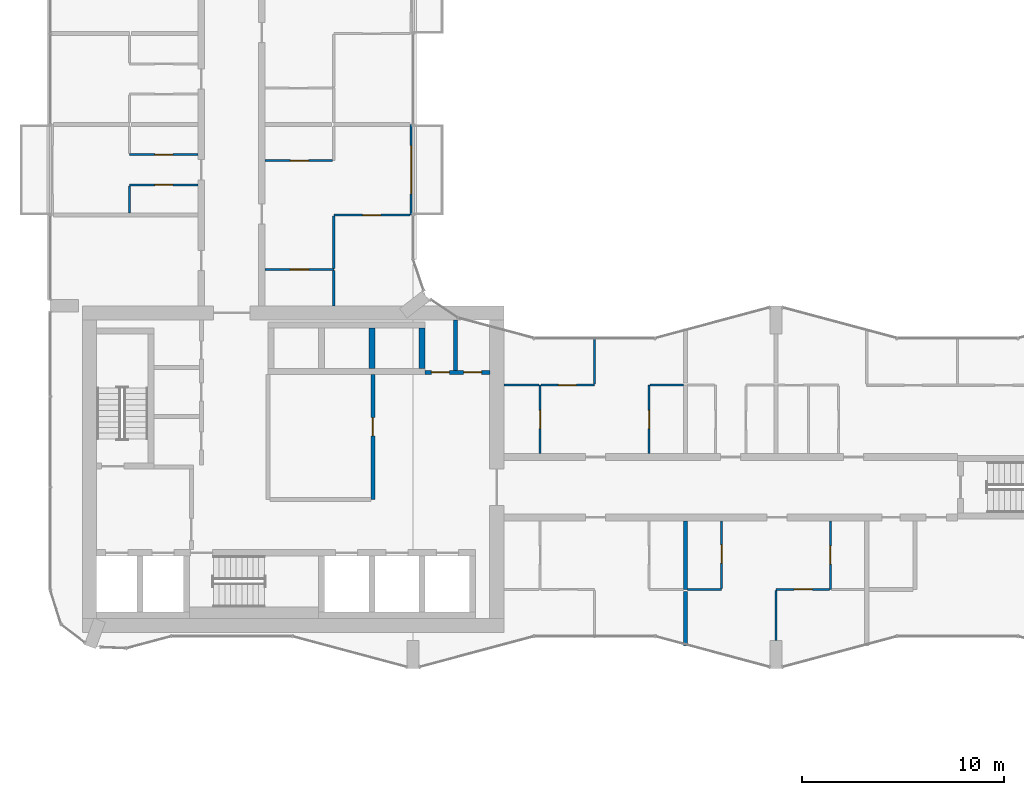
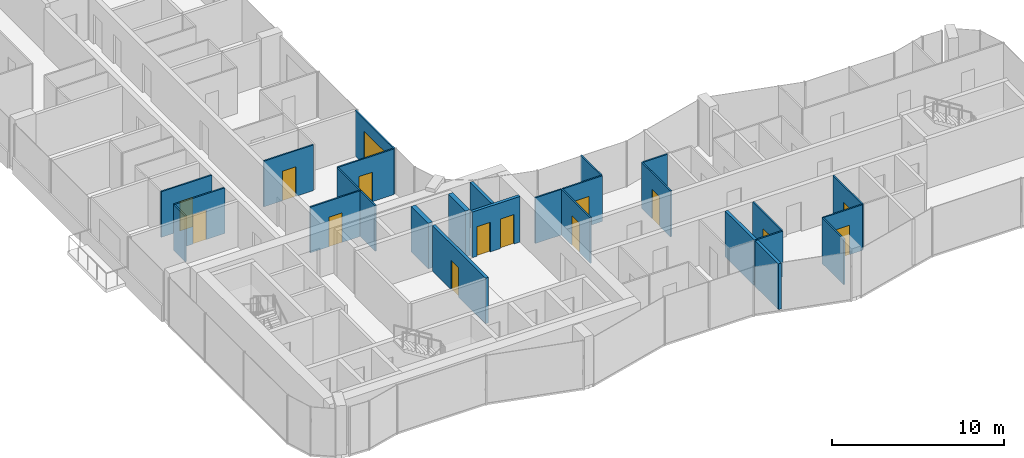
# One storey, part 14 of 23: 27 walls, 15 doors, 15 openings.
"""IFC4 building model written with IfcOpenShell, lengths in metres."""

from ifc_helpers import new_model, si_unit, direction, frame, frame_2d, origin, place, context, subcontext, project, spatial, rectangle, extrude, material, layer, layer_set, type_object, element, fill, save


model = new_model("IFC4")

# Units and contexts
model_context = context("Model", 3, precision=1e-05, world=origin(), true_north=direction((0.0, 1.0)))
body_context = subcontext(model_context, "Body", "Model", "MODEL_VIEW")
ifc_project = project(units=[si_unit("LENGTHUNIT", "METRE"), si_unit("AREAUNIT", "SQUARE_METRE"), si_unit("VOLUMEUNIT", "CUBIC_METRE"), si_unit("PLANEANGLEUNIT", "RADIAN"), si_unit("MASSUNIT", "GRAM", prefix="KILO")], contexts=[model_context])

# Site, building, storey
site_placement = place(None, origin())
site = spatial("IfcSite", under=ifc_project, at=site_placement, CompositionType="ELEMENT")
building_placement = place(site_placement, origin())
building = spatial("IfcBuilding", under=site, at=building_placement, Name="Plateau Cross Towers", CompositionType="ELEMENT")
storey_placement = place(building_placement, frame((0.0, 0.0, 81.800048828125)))
storey = spatial("IfcBuildingStorey", under=building, at=storey_placement, Name="L20", CompositionType="ELEMENT", Elevation=81.800048828125)

# Wall, opening, door
ifc_material_1 = material(Name="Aluminium framed glazing", Category="aluminium")
ifc_layer_1 = layer(ifc_material_1, 0.10009765625)
ifc_layer_set_1 = layer_set([ifc_layer_1], Name="Aluminium framed glazing")
wall_type_1 = type_object("IfcWallType", Name="Balcony screen wall 100", PredefinedType="STANDARD", material=ifc_layer_set_1)
wall_1_placement = place(storey_placement, frame((17.89990234375, 27.0, 0.0), z_axis=(0.0, 0.0, 1.0), x_axis=(0.0, -1.0, 0.0)))
wall_1 = element("IfcWall", 1, at=wall_1_placement, inside=storey, type_object=wall_type_1, Name="Balcony screen wall A-BAL-L20-03", PredefinedType="STANDARD", context=body_context, shape_type="SweptSolid", body=[
    extrude(rectangle(XDim=4.5, YDim=0.10009765625, at=frame_2d((2.25, 0.0))), origin(), (0.0, 0.0, 1.0), 3.25),
])
opening_1_placement = place(wall_1_placement, frame((1.050048828125, 0.0, 0.0)))
opening_1 = element("IfcOpeningElement", 2, at=opening_1_placement, cuts=wall_1, Name="Opening D-B24", PredefinedType="OPENING", context=body_context, shape_type="SweptSolid", body=[
    extrude(rectangle(XDim=2.39990234375, YDim=2.39990234375, at=frame_2d((1.199951171875, 1.199951171875))), frame((0.0, 0.06005859375, 0.0), z_axis=(0.0, -1.0, 0.0), x_axis=(1.0, 0.0, 0.0)), (0.0, 0.0, 1.0), 0.1201171875),
])
ifc_material_2 = material(Name="Aluminium frame, double glazing", Category="aluminium")
door_type_1 = type_object("IfcDoorType", Name="Balcony sliding door 2400", OperationType="NOTDEFINED", PredefinedType="DOOR", material=ifc_material_2)
door_1_placement = place(opening_1_placement, origin())
door_1 = element("IfcDoor", 3, at=door_1_placement, inside=storey, type_object=door_type_1, Name="Balcony door A-BAL-L20-03", OperationType="SINGLE_SWING_LEFT", OverallHeight=2.39990234375, OverallWidth=2.39990234375, PredefinedType="DOOR", context=body_context, shape_type="SweptSolid", body=[
    extrude(rectangle(XDim=2.39990234375, YDim=2.39990234375, at=frame_2d((1.199951171875, 1.199951171875))), frame((0.0, 0.02490234375, 0.0), z_axis=(0.0, -1.0, 0.0), x_axis=(1.0, 0.0, 0.0)), (0.0, 0.0, 1.0), 0.050048828125),
])
fill(opening_1, door_1)

ifc_material_3 = material(Name="Concrete block, plastered both sides", Category="concrete")
ifc_layer_2 = layer(ifc_material_3, 0.199951171875)
ifc_layer_set_2 = layer_set([ifc_layer_2], Name="Concrete block, plastered both sides")
wall_type_2 = type_object("IfcWallType", Name="Core partition 200", PredefinedType="PARTITIONING", material=ifc_layer_set_2)
wall_2_placement = place(storey_placement, frame((16.0, 8.39990234375, 0.0), z_axis=(0.0, 0.0, 1.0), x_axis=(0.0, 1.0, 0.0)))
wall_2 = element("IfcWall", 4, at=wall_2_placement, inside=storey, type_object=wall_type_2, Name="Core partition", PredefinedType="PARTITIONING", context=body_context, shape_type="SweptSolid", body=[
    extrude(rectangle(XDim=6.2001953125, YDim=0.199951171875, at=frame_2d((3.10009765625, 0.0))), origin(), (0.0, 0.0, 1.0), 3.25),
])
opening_2_placement = place(wall_2_placement, frame((3.14990234375, 0.0, 0.0)))
opening_2 = element("IfcOpeningElement", 5, at=opening_2_placement, cuts=wall_2, Name="Opening RD1", PredefinedType="OPENING", context=body_context, shape_type="SweptSolid", body=[
    extrude(rectangle(XDim=0.89990234375, YDim=2.10009765625, at=frame_2d((0.449951171875, 1.050048828125))), frame((0.0, 0.10986328125, 0.0), z_axis=(0.0, -1.0, 0.0), x_axis=(1.0, 0.0, 0.0)), (0.0, 0.0, 1.0), 0.219970703125),
])
ifc_material_4 = material(Name="Timber, fire-resisting leaf", Category="wood")
door_type_2 = type_object("IfcDoorType", Name="Core service door 900", OperationType="NOTDEFINED", PredefinedType="DOOR", material=ifc_material_4)
door_2_placement = place(opening_2_placement, origin())
door_2 = element("IfcDoor", 6, at=door_2_placement, inside=storey, type_object=door_type_2, Name="Core service door RD1", OperationType="SINGLE_SWING_LEFT", OverallHeight=2.10009765625, OverallWidth=0.89990234375, PredefinedType="DOOR", context=body_context, shape_type="SweptSolid", body=[
    extrude(rectangle(XDim=0.89990234375, YDim=2.10009765625, at=frame_2d((0.449951171875, 1.050048828125))), frame((0.0, 0.02490234375, 0.0), z_axis=(0.0, -1.0, 0.0), x_axis=(1.0, 0.0, 0.0)), (0.0, 0.0, 1.0), 0.050048828125),
])
fill(opening_2, door_2)

# Wall, openings, doors
wall_3_placement = place(storey_placement, frame((18.60009765625, 14.699951171875, 0.0), z_axis=(0.0, 0.0, 1.0), x_axis=(1.0, 0.0, 0.0)))
wall_3 = element("IfcWall", 7, at=wall_3_placement, inside=storey, type_object=wall_type_2, Name="Core partition", PredefinedType="PARTITIONING", context=body_context, shape_type="SweptSolid", body=[
    extrude(rectangle(XDim=3.199951171875, YDim=0.199951171875, at=frame_2d((1.60009765625, 0.0))), origin(), (0.0, 0.0, 1.0), 3.25),
])
opening_3_placement = place(wall_3_placement, frame((0.300048828125, 0.0, 0.0)))
opening_3 = element("IfcOpeningElement", 8, at=opening_3_placement, cuts=wall_3, Name="Opening RD2", PredefinedType="OPENING", context=body_context, shape_type="SweptSolid", body=[
    extrude(rectangle(XDim=0.89990234375, YDim=2.10009765625, at=frame_2d((0.449951171875, 1.050048828125))), frame((0.0, 0.10986328125, 0.0), z_axis=(0.0, -1.0, 0.0), x_axis=(1.0, 0.0, 0.0)), (0.0, 0.0, 1.0), 0.219970703125),
])
opening_4_placement = place(wall_3_placement, frame((1.89990234375, 0.0, 0.0)))
opening_4 = element("IfcOpeningElement", 9, at=opening_4_placement, cuts=wall_3, Name="Opening RD2", PredefinedType="OPENING", context=body_context, shape_type="SweptSolid", body=[
    extrude(rectangle(XDim=0.89990234375, YDim=2.10009765625, at=frame_2d((0.449951171875, 1.050048828125))), frame((0.0, 0.10986328125, 0.0), z_axis=(0.0, -1.0, 0.0), x_axis=(1.0, 0.0, 0.0)), (0.0, 0.0, 1.0), 0.219970703125),
])
ifc_material_5 = material(Name="Steel, fire-resisting leaf", Category="steel")
door_type_3 = type_object("IfcDoorType", Name="Core riser door 900", OperationType="NOTDEFINED", PredefinedType="DOOR", material=ifc_material_5)
door_3_placement = place(opening_3_placement, origin())
door_3 = element("IfcDoor", 10, at=door_3_placement, inside=storey, type_object=door_type_3, Name="Core riser door RD2", OperationType="SINGLE_SWING_LEFT", OverallHeight=2.10009765625, OverallWidth=0.89990234375, PredefinedType="DOOR", context=body_context, shape_type="SweptSolid", body=[
    extrude(rectangle(XDim=0.89990234375, YDim=2.10009765625, at=frame_2d((0.449951171875, 1.050048828125))), frame((0.0, 0.02490234375, 0.0), z_axis=(0.0, -1.0, 0.0), x_axis=(1.0, 0.0, 0.0)), (0.0, 0.0, 1.0), 0.050048828125),
])
fill(opening_3, door_3)
door_4_placement = place(opening_4_placement, origin())
door_4 = element("IfcDoor", 11, at=door_4_placement, inside=storey, type_object=door_type_3, Name="Core riser door RD2", OperationType="SINGLE_SWING_LEFT", OverallHeight=2.10009765625, OverallWidth=0.89990234375, PredefinedType="DOOR", context=body_context, shape_type="SweptSolid", body=[
    extrude(rectangle(XDim=0.89990234375, YDim=2.10009765625, at=frame_2d((0.449951171875, 1.050048828125))), frame((0.0, 0.02490234375, 0.0), z_axis=(0.0, -1.0, 0.0), x_axis=(1.0, 0.0, 0.0)), (0.0, 0.0, 1.0), 0.050048828125),
])
fill(opening_4, door_4)

# Walls
wall_4_placement = place(storey_placement, frame((20.10009765625, 14.800048828125, 0.0), z_axis=(0.0, 0.0, 1.0), x_axis=(0.0, 1.0, 0.0)))
element("IfcWall", 12, at=wall_4_placement, inside=storey, type_object=wall_type_2, Name="Core partition", PredefinedType="PARTITIONING", context=body_context, shape_type="SweptSolid", body=[
    extrude(rectangle(XDim=2.5, YDim=0.199951171875, at=frame_2d((1.25, 0.0))), origin(), (0.0, 0.0, 1.0), 3.25),
])
ifc_material_6 = material(Name="Concrete C60/75", Category="concrete")
ifc_layer_3 = layer(ifc_material_6, 0.300048828125)
ifc_layer_set_3 = layer_set([ifc_layer_3], Name="Concrete C60/75")
wall_type_3 = type_object("IfcWallType", Name="Core shaft wall 300", PredefinedType="SHEAR", material=ifc_layer_set_3)
for number, where, z_axis, x_axis, name in (
    (13, (15.949951171875, 14.89990234375, 0.0), (0.0, 0.0, 1.0), (0.0, 1.0, 0.0), "A-nb-v3@L20"),
    (14, (18.449951171875, 14.89990234375, 0.0), (0.0, 0.0, 1.0), (0.0, 1.0, 0.0), "A-nb-v4@L20"),
):
    element("IfcWall", number, at=place(storey_placement, frame(where, z_axis=z_axis, x_axis=x_axis)), inside=storey, type_object=wall_type_3, Name=name, PredefinedType="SHEAR", context=body_context, shape_type="SweptSolid", body=[
        extrude(rectangle(XDim=2.0, YDim=0.300048828125, at=frame_2d((1.0, 0.0))), origin(), (0.0, 0.0, 1.0), 3.25),
    ])

# Wall, opening, door
ifc_material_7 = material(Name="Gypsum board on steel studs", Category="steel")
ifc_layer_4 = layer(ifc_material_7, 0.10009765625)
ifc_layer_set_4 = layer_set([ifc_layer_4], Name="Gypsum board on steel studs")
wall_type_4 = type_object("IfcWallType", Name="Flat partition 100", PredefinedType="PARTITIONING", material=ifc_layer_set_4)
wall_5_placement = place(storey_placement, frame((38.64990234375, 3.9375, 0.0), z_axis=(0.0, 0.0, 1.0), x_axis=(-1.0, 0.0, 0.0)))
wall_5 = element("IfcWall", 15, at=wall_5_placement, inside=storey, type_object=wall_type_4, Name="Partition wall", PredefinedType="PARTITIONING", context=body_context, shape_type="SweptSolid", body=[
    extrude(rectangle(XDim=2.64990234375, YDim=0.10009765625, at=frame_2d((1.324951171875, 0.0))), origin(), (0.0, 0.0, 1.0), 3.25),
])
opening_5_placement = place(wall_5_placement, frame((0.85009765625, 0.0, 0.0)))
opening_5 = element("IfcOpeningElement", 16, at=opening_5_placement, cuts=wall_5, Name="Opening 20-23", PredefinedType="OPENING", context=body_context, shape_type="SweptSolid", body=[
    extrude(rectangle(XDim=0.89990234375, YDim=2.10009765625, at=frame_2d((0.449951171875, 1.050048828125))), frame((0.0, 0.06005859375, 0.0), z_axis=(0.0, -1.0, 0.0), x_axis=(1.0, 0.0, 0.0)), (0.0, 0.0, 1.0), 0.1201171875),
])
ifc_material_8 = material(Name="Timber leaf", Category="wood")
door_type_4 = type_object("IfcDoorType", Name="Flat room door 900", OperationType="NOTDEFINED", PredefinedType="DOOR", material=ifc_material_8)
door_5_placement = place(opening_5_placement, origin())
door_5 = element("IfcDoor", 17, at=door_5_placement, inside=storey, type_object=door_type_4, Name="Door 20-23", OperationType="SINGLE_SWING_LEFT", OverallHeight=2.10009765625, OverallWidth=0.89990234375, PredefinedType="DOOR", context=body_context, shape_type="SweptSolid", body=[
    extrude(rectangle(XDim=0.89990234375, YDim=2.10009765625, at=frame_2d((0.449951171875, 1.050048828125))), frame((0.0, 0.02490234375, 0.0), z_axis=(0.0, -1.0, 0.0), x_axis=(1.0, 0.0, 0.0)), (0.0, 0.0, 1.0), 0.050048828125),
])
fill(opening_5, door_5)

# Walls
wall_6_placement = place(storey_placement, frame((31.60009765625, 3.9375, 0.0), z_axis=(0.0, 0.0, 1.0), x_axis=(1.0, 0.0, 0.0)))
element("IfcWall", 18, at=wall_6_placement, inside=storey, type_object=wall_type_4, Name="Partition wall", PredefinedType="PARTITIONING", context=body_context, shape_type="SweptSolid", body=[
    extrude(rectangle(XDim=1.699951171875, YDim=0.10009765625, at=frame_2d((0.85009765625, 0.0))), origin(), (0.0, 0.0, 1.0), 3.25),
])
wall_7_placement = place(storey_placement, frame((24.25, 14.0625, 0.0), z_axis=(0.0, 0.0, 1.0), x_axis=(-1.0, 0.0, 0.0)))
element("IfcWall", 19, at=wall_7_placement, inside=storey, type_object=wall_type_4, Name="Partition wall", PredefinedType="PARTITIONING", context=body_context, shape_type="SweptSolid", body=[
    extrude(rectangle(XDim=1.75, YDim=0.10009765625, at=frame_2d((0.875, 0.0))), origin(), (0.0, 0.0, 1.0), 3.25),
])
wall_8_placement = place(storey_placement, frame((31.39990234375, 14.0625, 0.0), z_axis=(0.0, 0.0, 1.0), x_axis=(-1.0, 0.0, 0.0)))
element("IfcWall", 20, at=wall_8_placement, inside=storey, type_object=wall_type_4, Name="Partition wall", PredefinedType="PARTITIONING", context=body_context, shape_type="SweptSolid", body=[
    extrude(rectangle(XDim=1.64990234375, YDim=0.10009765625, at=frame_2d((0.824951171875, 0.0))), origin(), (0.0, 0.0, 1.0), 3.25),
])

# Wall, opening, door
wall_9_placement = place(storey_placement, frame((24.35009765625, 14.0625, 0.0), z_axis=(0.0, 0.0, 1.0), x_axis=(1.0, 0.0, 0.0)))
wall_9 = element("IfcWall", 21, at=wall_9_placement, inside=storey, type_object=wall_type_4, Name="Partition wall", PredefinedType="PARTITIONING", context=body_context, shape_type="SweptSolid", body=[
    extrude(rectangle(XDim=2.64990234375, YDim=0.10009765625, at=frame_2d((1.324951171875, 0.0))), origin(), (0.0, 0.0, 1.0), 3.25),
])
opening_6_placement = place(wall_9_placement, frame((0.85009765625, 0.0, 0.0)))
opening_6 = element("IfcOpeningElement", 22, at=opening_6_placement, cuts=wall_9, Name="Opening 20-26", PredefinedType="OPENING", context=body_context, shape_type="SweptSolid", body=[
    extrude(rectangle(XDim=0.89990234375, YDim=2.10009765625, at=frame_2d((0.449951171875, 1.050048828125))), frame((0.0, 0.06005859375, 0.0), z_axis=(0.0, -1.0, 0.0), x_axis=(1.0, 0.0, 0.0)), (0.0, 0.0, 1.0), 0.1201171875),
])
door_6_placement = place(opening_6_placement, origin())
door_6 = element("IfcDoor", 23, at=door_6_placement, inside=storey, type_object=door_type_4, Name="Door 20-26", OperationType="SINGLE_SWING_LEFT", OverallHeight=2.10009765625, OverallWidth=0.89990234375, PredefinedType="DOOR", context=body_context, shape_type="SweptSolid", body=[
    extrude(rectangle(XDim=0.89990234375, YDim=2.10009765625, at=frame_2d((0.449951171875, 1.050048828125))), frame((0.0, 0.02490234375, 0.0), z_axis=(0.0, -1.0, 0.0), x_axis=(1.0, 0.0, 0.0)), (0.0, 0.0, 1.0), 0.050048828125),
])
fill(opening_6, door_6)

wall_10_placement = place(storey_placement, frame((14.0625, 19.800048828125, 0.0), z_axis=(0.0, 0.0, 1.0), x_axis=(-1.0, 0.0, 0.0)))
wall_10 = element("IfcWall", 24, at=wall_10_placement, inside=storey, type_object=wall_type_4, Name="Partition wall", PredefinedType="PARTITIONING", context=body_context, shape_type="SweptSolid", body=[
    extrude(rectangle(XDim=3.39990234375, YDim=0.10009765625, at=frame_2d((1.699951171875, 0.0))), origin(), (0.0, 0.0, 1.0), 3.25),
])
opening_7_placement = place(wall_10_placement, frame((1.25, 0.0, 0.0)))
opening_7 = element("IfcOpeningElement", 25, at=opening_7_placement, cuts=wall_10, Name="Opening 20-43", PredefinedType="OPENING", context=body_context, shape_type="SweptSolid", body=[
    extrude(rectangle(XDim=0.89990234375, YDim=2.10009765625, at=frame_2d((0.449951171875, 1.050048828125))), frame((0.0, 0.06005859375, 0.0), z_axis=(0.0, -1.0, 0.0), x_axis=(1.0, 0.0, 0.0)), (0.0, 0.0, 1.0), 0.1201171875),
])
door_7_placement = place(opening_7_placement, origin())
door_7 = element("IfcDoor", 26, at=door_7_placement, inside=storey, type_object=door_type_4, Name="Door 20-43", OperationType="SINGLE_SWING_LEFT", OverallHeight=2.10009765625, OverallWidth=0.89990234375, PredefinedType="DOOR", context=body_context, shape_type="SweptSolid", body=[
    extrude(rectangle(XDim=0.89990234375, YDim=2.10009765625, at=frame_2d((0.449951171875, 1.050048828125))), frame((0.0, 0.02490234375, 0.0), z_axis=(0.0, -1.0, 0.0), x_axis=(1.0, 0.0, 0.0)), (0.0, 0.0, 1.0), 0.050048828125),
])
fill(opening_7, door_7)

wall_11_placement = place(storey_placement, frame((17.85009765625, 22.5, 0.0), z_axis=(0.0, 0.0, 1.0), x_axis=(-1.0, 0.0, 0.0)))
wall_11 = element("IfcWall", 27, at=wall_11_placement, inside=storey, type_object=wall_type_4, Name="Partition wall", PredefinedType="PARTITIONING", context=body_context, shape_type="SweptSolid", body=[
    extrude(rectangle(XDim=3.78759765625, YDim=0.10009765625, at=frame_2d((1.893798828125, 0.0))), origin(), (0.0, 0.0, 1.0), 3.25),
])
opening_8_placement = place(wall_11_placement, frame((1.449951171875, 0.0, 0.0)))
opening_8 = element("IfcOpeningElement", 28, at=opening_8_placement, cuts=wall_11, Name="Opening 20-45", PredefinedType="OPENING", context=body_context, shape_type="SweptSolid", body=[
    extrude(rectangle(XDim=0.89990234375, YDim=2.10009765625, at=frame_2d((0.449951171875, 1.050048828125))), frame((0.0, 0.06005859375, 0.0), z_axis=(0.0, -1.0, 0.0), x_axis=(1.0, 0.0, 0.0)), (0.0, 0.0, 1.0), 0.1201171875),
])
door_8_placement = place(opening_8_placement, origin())
door_8 = element("IfcDoor", 29, at=door_8_placement, inside=storey, type_object=door_type_4, Name="Door 20-45", OperationType="SINGLE_SWING_RIGHT", OverallHeight=2.10009765625, OverallWidth=0.89990234375, PredefinedType="DOOR", context=body_context, shape_type="SweptSolid", body=[
    extrude(rectangle(XDim=0.89990234375, YDim=2.10009765625, at=frame_2d((0.449951171875, 1.050048828125))), frame((0.0, 0.02490234375, 0.0), z_axis=(0.0, -1.0, 0.0), x_axis=(1.0, 0.0, 0.0)), (0.0, 0.0, 1.0), 0.050048828125),
])
fill(opening_8, door_8)

wall_12_placement = place(storey_placement, frame((7.33740234375, 24.0, 0.0), z_axis=(0.0, 0.0, 1.0), x_axis=(-1.0, 0.0, 0.0)))
wall_12 = element("IfcWall", 30, at=wall_12_placement, inside=storey, type_object=wall_type_4, Name="Partition wall", PredefinedType="PARTITIONING", context=body_context, shape_type="SweptSolid", body=[
    extrude(rectangle(XDim=3.39990234375, YDim=0.10009765625, at=frame_2d((1.699951171875, 0.0))), origin(), (0.0, 0.0, 1.0), 3.25),
])
opening_9_placement = place(wall_12_placement, frame((1.25, 0.0, 0.0)))
opening_9 = element("IfcOpeningElement", 31, at=opening_9_placement, cuts=wall_12, Name="Opening 20-34", PredefinedType="OPENING", context=body_context, shape_type="SweptSolid", body=[
    extrude(rectangle(XDim=0.89990234375, YDim=2.10009765625, at=frame_2d((0.449951171875, 1.050048828125))), frame((0.0, 0.06005859375, 0.0), z_axis=(0.0, -1.0, 0.0), x_axis=(1.0, 0.0, 0.0)), (0.0, 0.0, 1.0), 0.1201171875),
])
door_9_placement = place(opening_9_placement, origin())
door_9 = element("IfcDoor", 32, at=door_9_placement, inside=storey, type_object=door_type_4, Name="Door 20-34", OperationType="SINGLE_SWING_LEFT", OverallHeight=2.10009765625, OverallWidth=0.89990234375, PredefinedType="DOOR", context=body_context, shape_type="SweptSolid", body=[
    extrude(rectangle(XDim=0.89990234375, YDim=2.10009765625, at=frame_2d((0.449951171875, 1.050048828125))), frame((0.0, 0.02490234375, 0.0), z_axis=(0.0, -1.0, 0.0), x_axis=(1.0, 0.0, 0.0)), (0.0, 0.0, 1.0), 0.050048828125),
])
fill(opening_9, door_9)

wall_13_placement = place(storey_placement, frame((10.66259765625, 25.199951171875, 0.0), z_axis=(0.0, 0.0, 1.0), x_axis=(1.0, 0.0, 0.0)))
wall_13 = element("IfcWall", 33, at=wall_13_placement, inside=storey, type_object=wall_type_4, Name="Partition wall", PredefinedType="PARTITIONING", context=body_context, shape_type="SweptSolid", body=[
    extrude(rectangle(XDim=3.349853515625, YDim=0.10009765625, at=frame_2d((1.6748046875, 0.0))), origin(), (0.0, 0.0, 1.0), 3.25),
])
opening_10_placement = place(wall_13_placement, frame((1.25, 0.0, 0.0)))
opening_10 = element("IfcOpeningElement", 34, at=opening_10_placement, cuts=wall_13, Name="Opening 20-44", PredefinedType="OPENING", context=body_context, shape_type="SweptSolid", body=[
    extrude(rectangle(XDim=0.89990234375, YDim=2.10009765625, at=frame_2d((0.449951171875, 1.050048828125))), frame((0.0, 0.06005859375, 0.0), z_axis=(0.0, -1.0, 0.0), x_axis=(1.0, 0.0, 0.0)), (0.0, 0.0, 1.0), 0.1201171875),
])
door_10_placement = place(opening_10_placement, origin())
door_10 = element("IfcDoor", 35, at=door_10_placement, inside=storey, type_object=door_type_4, Name="Door 20-44", OperationType="SINGLE_SWING_RIGHT", OverallHeight=2.10009765625, OverallWidth=0.89990234375, PredefinedType="DOOR", context=body_context, shape_type="SweptSolid", body=[
    extrude(rectangle(XDim=0.89990234375, YDim=2.10009765625, at=frame_2d((0.449951171875, 1.050048828125))), frame((0.0, 0.02490234375, 0.0), z_axis=(0.0, -1.0, 0.0), x_axis=(1.0, 0.0, 0.0)), (0.0, 0.0, 1.0), 0.050048828125),
])
fill(opening_10, door_10)

wall_14_placement = place(storey_placement, frame((3.9375, 25.5, 0.0), z_axis=(0.0, 0.0, 1.0), x_axis=(1.0, 0.0, 0.0)))
wall_14 = element("IfcWall", 36, at=wall_14_placement, inside=storey, type_object=wall_type_4, Name="Partition wall", PredefinedType="PARTITIONING", context=body_context, shape_type="SweptSolid", body=[
    extrude(rectangle(XDim=3.39990234375, YDim=0.10009765625, at=frame_2d((1.699951171875, 0.0))), origin(), (0.0, 0.0, 1.0), 3.25),
])
opening_11_placement = place(wall_14_placement, frame((1.25, 0.0, 0.0)))
opening_11 = element("IfcOpeningElement", 37, at=opening_11_placement, cuts=wall_14, Name="Opening 20-35", PredefinedType="OPENING", context=body_context, shape_type="SweptSolid", body=[
    extrude(rectangle(XDim=0.89990234375, YDim=2.10009765625, at=frame_2d((0.449951171875, 1.050048828125))), frame((0.0, 0.06005859375, 0.0), z_axis=(0.0, -1.0, 0.0), x_axis=(1.0, 0.0, 0.0)), (0.0, 0.0, 1.0), 0.1201171875),
])
door_11_placement = place(opening_11_placement, origin())
door_11 = element("IfcDoor", 38, at=door_11_placement, inside=storey, type_object=door_type_4, Name="Door 20-35", OperationType="SINGLE_SWING_LEFT", OverallHeight=2.10009765625, OverallWidth=0.89990234375, PredefinedType="DOOR", context=body_context, shape_type="SweptSolid", body=[
    extrude(rectangle(XDim=0.89990234375, YDim=2.10009765625, at=frame_2d((0.449951171875, 1.050048828125))), frame((0.0, 0.02490234375, 0.0), z_axis=(0.0, -1.0, 0.0), x_axis=(1.0, 0.0, 0.0)), (0.0, 0.0, 1.0), 0.050048828125),
])
fill(opening_11, door_11)

# Walls
wall_15_placement = place(storey_placement, frame((3.9375, 23.949951171875, 0.0), z_axis=(0.0, 0.0, 1.0), x_axis=(0.0, -1.0, 0.0)))
element("IfcWall", 39, at=wall_15_placement, inside=storey, type_object=wall_type_4, Name="Partition wall", PredefinedType="PARTITIONING", context=body_context, shape_type="SweptSolid", body=[
    extrude(rectangle(XDim=1.349853515625, YDim=0.10009765625, at=frame_2d((0.6748046875, 0.0))), origin(), (0.0, 0.0, 1.0), 3.25),
])
wall_16_placement = place(storey_placement, frame((14.0625, 22.449951171875, 0.0), z_axis=(0.0, 0.0, 1.0), x_axis=(0.0, -1.0, 0.0)))
element("IfcWall", 40, at=wall_16_placement, inside=storey, type_object=wall_type_4, Name="Partition wall", PredefinedType="PARTITIONING", context=body_context, shape_type="SweptSolid", body=[
    extrude(rectangle(XDim=2.599853515625, YDim=0.10009765625, at=frame_2d((1.2998046875, 0.0))), origin(), (0.0, 0.0, 1.0), 3.25),
])
wall_17_placement = place(storey_placement, frame((14.0625, 18.0, 0.0), z_axis=(0.0, 0.0, 1.0), x_axis=(0.0, 1.0, 0.0)))
element("IfcWall", 41, at=wall_17_placement, inside=storey, type_object=wall_type_4, Name="Partition wall", PredefinedType="PARTITIONING", context=body_context, shape_type="SweptSolid", body=[
    extrude(rectangle(XDim=1.75, YDim=0.10009765625, at=frame_2d((0.875, 0.0))), origin(), (0.0, 0.0, 1.0), 3.25),
])

# Wall, opening, door
wall_18_placement = place(storey_placement, frame((24.300048828125, 10.66259765625, 0.0), z_axis=(0.0, 0.0, 1.0), x_axis=(0.0, 1.0, 0.0)))
wall_18 = element("IfcWall", 42, at=wall_18_placement, inside=storey, type_object=wall_type_4, Name="Partition wall", PredefinedType="PARTITIONING", context=body_context, shape_type="SweptSolid", body=[
    extrude(rectangle(XDim=3.39990234375, YDim=0.10009765625, at=frame_2d((1.699951171875, 0.0))), origin(), (0.0, 0.0, 1.0), 3.25),
])
opening_12_placement = place(wall_18_placement, frame((1.25, 0.0, 0.0)))
opening_12 = element("IfcOpeningElement", 43, at=opening_12_placement, cuts=wall_18, Name="Opening 20-24", PredefinedType="OPENING", context=body_context, shape_type="SweptSolid", body=[
    extrude(rectangle(XDim=0.89990234375, YDim=2.10009765625, at=frame_2d((0.449951171875, 1.050048828125))), frame((0.0, 0.06005859375, 0.0), z_axis=(0.0, -1.0, 0.0), x_axis=(1.0, 0.0, 0.0)), (0.0, 0.0, 1.0), 0.1201171875),
])
door_12_placement = place(opening_12_placement, origin())
door_12 = element("IfcDoor", 44, at=door_12_placement, inside=storey, type_object=door_type_4, Name="Door 20-24", OperationType="SINGLE_SWING_LEFT", OverallHeight=2.10009765625, OverallWidth=0.89990234375, PredefinedType="DOOR", context=body_context, shape_type="SweptSolid", body=[
    extrude(rectangle(XDim=0.89990234375, YDim=2.10009765625, at=frame_2d((0.449951171875, 1.050048828125))), frame((0.0, 0.02490234375, 0.0), z_axis=(0.0, -1.0, 0.0), x_axis=(1.0, 0.0, 0.0)), (0.0, 0.0, 1.0), 0.050048828125),
])
fill(opening_12, door_12)

# Wall
wall_19_placement = place(storey_placement, frame((27.0, 14.112548828125, 0.0), z_axis=(0.0, 0.0, 1.0), x_axis=(0.0, 1.0, 0.0)))
element("IfcWall", 45, at=wall_19_placement, inside=storey, type_object=wall_type_4, Name="Partition wall", PredefinedType="PARTITIONING", context=body_context, shape_type="SweptSolid", body=[
    extrude(rectangle(XDim=2.360595703125, YDim=0.10009765625, at=frame_2d((1.18017578125, 0.0))), origin(), (0.0, 0.0, 1.0), 3.25),
])

# Wall, opening, door
wall_20_placement = place(storey_placement, frame((29.699951171875, 14.0625, 0.0), z_axis=(0.0, 0.0, 1.0), x_axis=(0.0, -1.0, 0.0)))
wall_20 = element("IfcWall", 46, at=wall_20_placement, inside=storey, type_object=wall_type_4, Name="Partition wall", PredefinedType="PARTITIONING", context=body_context, shape_type="SweptSolid", body=[
    extrude(rectangle(XDim=3.39990234375, YDim=0.10009765625, at=frame_2d((1.699951171875, 0.0))), origin(), (0.0, 0.0, 1.0), 3.25),
])
opening_13_placement = place(wall_20_placement, frame((1.25, 0.0, 0.0)))
opening_13 = element("IfcOpeningElement", 47, at=opening_13_placement, cuts=wall_20, Name="Opening 20-25", PredefinedType="OPENING", context=body_context, shape_type="SweptSolid", body=[
    extrude(rectangle(XDim=0.89990234375, YDim=2.10009765625, at=frame_2d((0.449951171875, 1.050048828125))), frame((0.0, 0.06005859375, 0.0), z_axis=(0.0, -1.0, 0.0), x_axis=(1.0, 0.0, 0.0)), (0.0, 0.0, 1.0), 0.1201171875),
])
door_13_placement = place(opening_13_placement, origin())
door_13 = element("IfcDoor", 48, at=door_13_placement, inside=storey, type_object=door_type_4, Name="Door 20-25", OperationType="SINGLE_SWING_LEFT", OverallHeight=2.10009765625, OverallWidth=0.89990234375, PredefinedType="DOOR", context=body_context, shape_type="SweptSolid", body=[
    extrude(rectangle(XDim=0.89990234375, YDim=2.10009765625, at=frame_2d((0.449951171875, 1.050048828125))), frame((0.0, 0.02490234375, 0.0), z_axis=(0.0, -1.0, 0.0), x_axis=(1.0, 0.0, 0.0)), (0.0, 0.0, 1.0), 0.050048828125),
])
fill(opening_13, door_13)

wall_21_placement = place(storey_placement, frame((33.300048828125, 3.987548828125, 0.0), z_axis=(0.0, 0.0, 1.0), x_axis=(0.0, 1.0, 0.0)))
wall_21 = element("IfcWall", 49, at=wall_21_placement, inside=storey, type_object=wall_type_4, Name="Partition wall", PredefinedType="PARTITIONING", context=body_context, shape_type="SweptSolid", body=[
    extrude(rectangle(XDim=3.349853515625, YDim=0.10009765625, at=frame_2d((1.6748046875, 0.0))), origin(), (0.0, 0.0, 1.0), 3.25),
])
opening_14_placement = place(wall_21_placement, frame((1.25, 0.0, 0.0)))
opening_14 = element("IfcOpeningElement", 50, at=opening_14_placement, cuts=wall_21, Name="Opening 20-21", PredefinedType="OPENING", context=body_context, shape_type="SweptSolid", body=[
    extrude(rectangle(XDim=0.89990234375, YDim=2.10009765625, at=frame_2d((0.449951171875, 1.050048828125))), frame((0.0, 0.06005859375, 0.0), z_axis=(0.0, -1.0, 0.0), x_axis=(1.0, 0.0, 0.0)), (0.0, 0.0, 1.0), 0.1201171875),
])
door_14_placement = place(opening_14_placement, origin())
door_14 = element("IfcDoor", 51, at=door_14_placement, inside=storey, type_object=door_type_4, Name="Door 20-21", OperationType="SINGLE_SWING_RIGHT", OverallHeight=2.10009765625, OverallWidth=0.89990234375, PredefinedType="DOOR", context=body_context, shape_type="SweptSolid", body=[
    extrude(rectangle(XDim=0.89990234375, YDim=2.10009765625, at=frame_2d((0.449951171875, 1.050048828125))), frame((0.0, 0.02490234375, 0.0), z_axis=(0.0, -1.0, 0.0), x_axis=(1.0, 0.0, 0.0)), (0.0, 0.0, 1.0), 0.050048828125),
])
fill(opening_14, door_14)

# Wall
wall_22_placement = place(storey_placement, frame((36.0, 3.887451171875, 0.0), z_axis=(0.0, 0.0, 1.0), x_axis=(0.0, -1.0, 0.0)))
element("IfcWall", 52, at=wall_22_placement, inside=storey, type_object=wall_type_4, Name="Partition wall", PredefinedType="PARTITIONING", context=body_context, shape_type="SweptSolid", body=[
    extrude(rectangle(XDim=2.487548828125, YDim=0.10009765625, at=frame_2d((1.24365234375, 0.0))), origin(), (0.0, 0.0, 1.0), 3.25),
])

# Wall, opening, door
wall_23_placement = place(storey_placement, frame((38.699951171875, 7.33740234375, 0.0), z_axis=(0.0, 0.0, 1.0), x_axis=(0.0, -1.0, 0.0)))
wall_23 = element("IfcWall", 53, at=wall_23_placement, inside=storey, type_object=wall_type_4, Name="Partition wall", PredefinedType="PARTITIONING", context=body_context, shape_type="SweptSolid", body=[
    extrude(rectangle(XDim=3.39990234375, YDim=0.10009765625, at=frame_2d((1.699951171875, 0.0))), origin(), (0.0, 0.0, 1.0), 3.25),
])
opening_15_placement = place(wall_23_placement, frame((1.25, 0.0, 0.0)))
opening_15 = element("IfcOpeningElement", 54, at=opening_15_placement, cuts=wall_23, Name="Opening 20-22", PredefinedType="OPENING", context=body_context, shape_type="SweptSolid", body=[
    extrude(rectangle(XDim=0.89990234375, YDim=2.10009765625, at=frame_2d((0.449951171875, 1.050048828125))), frame((0.0, 0.06005859375, 0.0), z_axis=(0.0, -1.0, 0.0), x_axis=(1.0, 0.0, 0.0)), (0.0, 0.0, 1.0), 0.1201171875),
])
door_15_placement = place(opening_15_placement, origin())
door_15 = element("IfcDoor", 55, at=door_15_placement, inside=storey, type_object=door_type_4, Name="Door 20-22", OperationType="SINGLE_SWING_LEFT", OverallHeight=2.10009765625, OverallWidth=0.89990234375, PredefinedType="DOOR", context=body_context, shape_type="SweptSolid", body=[
    extrude(rectangle(XDim=0.89990234375, YDim=2.10009765625, at=frame_2d((0.449951171875, 1.050048828125))), frame((0.0, 0.02490234375, 0.0), z_axis=(0.0, -1.0, 0.0), x_axis=(1.0, 0.0, 0.0)), (0.0, 0.0, 1.0), 0.050048828125),
])
fill(opening_15, door_15)

# Walls
ifc_material_9 = material(Name="Gypsum board on steel studs, two layers each side", Category="steel")
ifc_layer_5 = layer(ifc_material_9, 0.199951171875)
ifc_layer_set_5 = layer_set([ifc_layer_5], Name="Gypsum board on steel studs, two layers each side")
wall_type_5 = type_object("IfcWallType", Name="Flat party wall 200", PredefinedType="PARTITIONING", material=ifc_layer_set_5)
wall_24_placement = place(storey_placement, frame((31.5, 3.83740234375, 0.0), z_axis=(0.0, 0.0, 1.0), x_axis=(0.0, -1.0, 0.0)))
element("IfcWall", 56, at=wall_24_placement, inside=storey, type_object=wall_type_5, Name="Party wall", PredefinedType="PARTITIONING", context=body_context, shape_type="SweptSolid", body=[
    extrude(rectangle(XDim=2.715087890625, YDim=0.199951171875, at=frame_2d((1.357421875, 0.0))), origin(), (0.0, 0.0, 1.0), 3.25),
])
wall_25_placement = place(storey_placement, frame((31.5, 3.9375, 0.0), z_axis=(0.0, 0.0, 1.0), x_axis=(0.0, 1.0, 0.0)))
element("IfcWall", 57, at=wall_25_placement, inside=storey, type_object=wall_type_5, Name="Party wall", PredefinedType="PARTITIONING", context=body_context, shape_type="SweptSolid", body=[
    extrude(rectangle(XDim=3.39990234375, YDim=0.199951171875, at=frame_2d((1.699951171875, 0.0))), origin(), (0.0, 0.0, 1.0), 3.25),
])

save(model, "model.ifc")
